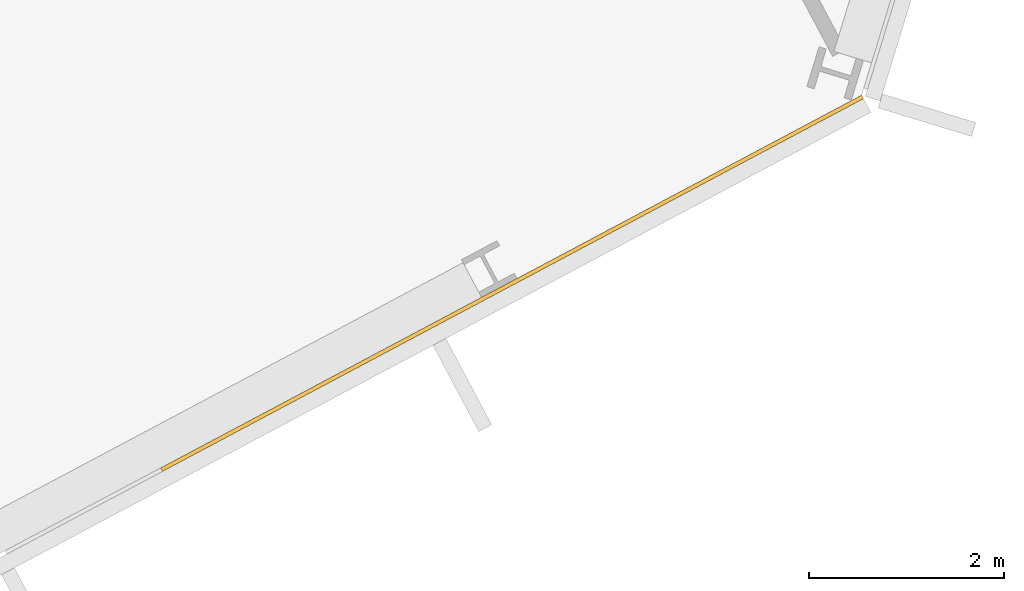
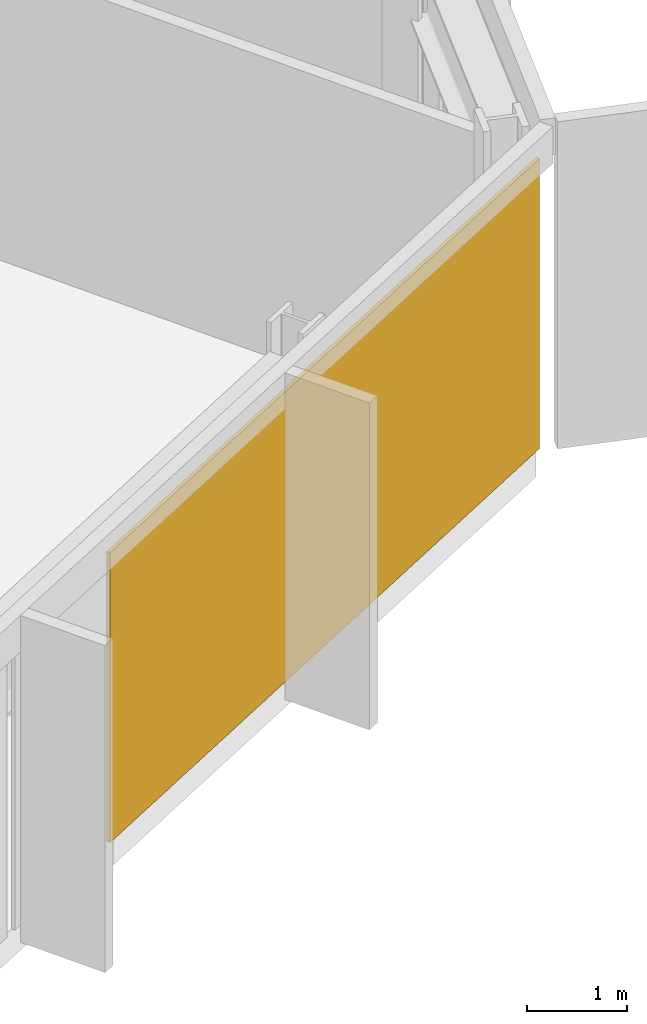
# One storey, part 26 of 28: 1 covering, 1 element without a shape of its own.
"""IFC4 building model written with IfcOpenShell, lengths in metres."""

from ifc_helpers import new_model, si_unit, direction, frame, origin, origin_2d, place, context, subcontext, project, spatial, rectangle, extrude, material, layer, layer_set, type_object, element, aggregate, save


model = new_model("IFC4")

# Units and contexts
model_context = context("Model", 3, precision=1e-05, world=origin(), true_north=direction((0.0, 1.0)))
body_context = subcontext(model_context, "Body", "Model", "MODEL_VIEW")
ifc_project = project(units=[si_unit("LENGTHUNIT", "METRE"), si_unit("AREAUNIT", "SQUARE_METRE"), si_unit("VOLUMEUNIT", "CUBIC_METRE"), si_unit("PLANEANGLEUNIT", "RADIAN"), si_unit("MASSUNIT", "GRAM", prefix="KILO")], contexts=[model_context])

# Site, building, storey
site_placement = place(None, origin())
site = spatial("IfcSite", under=ifc_project, at=site_placement, CompositionType="ELEMENT")
building_placement = place(site_placement, origin())
building = spatial("IfcBuilding", under=site, at=building_placement, Name="Cormorant Relay Tower", CompositionType="ELEMENT")
storey_placement = place(building_placement, frame((0.0, 0.0, 126.199951171875)))
storey = spatial("IfcBuildingStorey", under=building, at=storey_placement, Name="L25", CompositionType="ELEMENT", Elevation=126.199951171875)

# Curtain wall, covering
ifc_material_1 = material(Name="Aluminium 6063-T6 anodised bronze", Category="aluminium")
ifc_layer_1 = layer(ifc_material_1, 0.199951171875)
ifc_layer_set_1 = layer_set([ifc_layer_1], Name="CW1 unitised bronze curtain wall with vertical fins")
curtain_wall_type = type_object("IfcCurtainWallType", Name="CW1 unitised bronze curtain wall with vertical fins", PredefinedType="NOTDEFINED", material=ifc_layer_set_1)
curtain_wall_placement = place(storey_placement, origin())
curtain_wall = element("IfcCurtainWall", 1, at=curtain_wall_placement, inside=storey, type_object=curtain_wall_type, Name="CW1 curtain wall 4", PredefinedType="NOTDEFINED")
ifc_material_2 = material(Name="Pale bronze anodised aluminium insulated panel", Category="aluminium")
ifc_layer_2 = layer(ifc_material_2, 0.0400390625)
ifc_layer_set_2 = layer_set([ifc_layer_2], Name="CW1 pale bronze insulated panel 40")
covering_type = type_object("IfcCoveringType", Name="CW1 pale bronze insulated panel 40", PredefinedType="CLADDING", material=ifc_layer_set_2)
covering_placement = place(storey_placement, frame((52.138671875, 6.18115234375, 0.0), z_axis=(0.0, 0.0, 1.0), x_axis=(0.882947592859, 0.469471562786, 0.0)))
covering = element("IfcCovering", 2, at=covering_placement, type_object=covering_type, Name="CW1 panel S04", PredefinedType="CLADDING", context=body_context, shape_type="SweptSolid", body=[
    extrude(rectangle(XDim=8.125, YDim=0.0400390625, at=origin_2d()), origin(), (0.0, 0.0, 1.0), 3.550048828125),
])
aggregate(curtain_wall, [covering])

save(model, "model.ifc")
